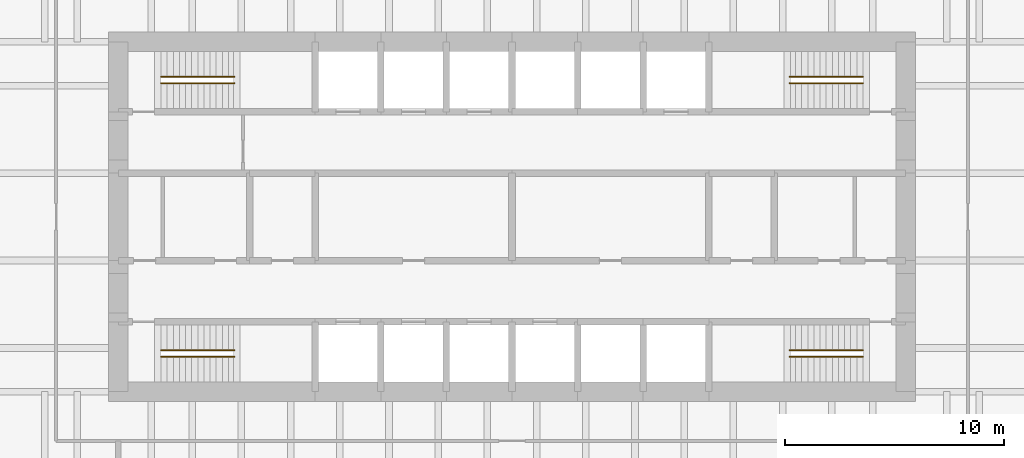
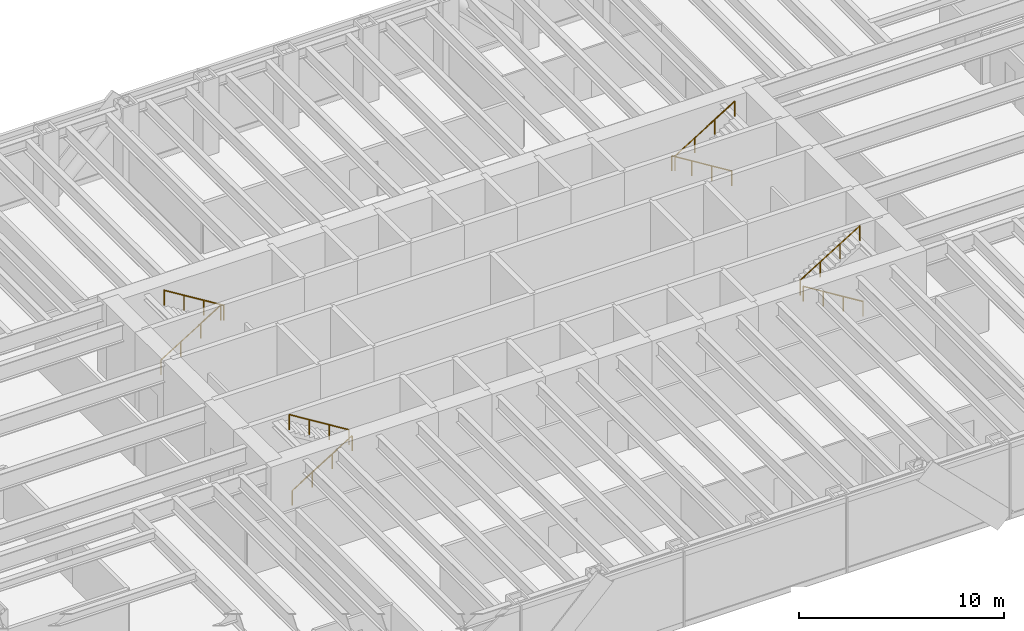
# One storey, part 13 of 13: 8 railings.
"""IFC4 building model written with IfcOpenShell, lengths in metres."""

from ifc_helpers import new_model, si_unit, direction, frame, origin, origin_2d, place, context, subcontext, project, spatial, circle, extrude, material, type_object, element, save


model = new_model("IFC4")

# Units and contexts
model_context = context("Model", 3, precision=1e-05, world=origin(), true_north=direction((0.0, 1.0)))
body_context = subcontext(model_context, "Body", "Model", "MODEL_VIEW")
ifc_project = project(units=[si_unit("LENGTHUNIT", "METRE"), si_unit("AREAUNIT", "SQUARE_METRE"), si_unit("VOLUMEUNIT", "CUBIC_METRE"), si_unit("PLANEANGLEUNIT", "RADIAN"), si_unit("MASSUNIT", "GRAM", prefix="KILO")], contexts=[model_context])

# Site, building, storey
site_placement = place(None, origin())
site = spatial("IfcSite", under=ifc_project, at=site_placement, CompositionType="ELEMENT")
building_placement = place(site_placement, origin())
building = spatial("IfcBuilding", under=site, at=building_placement, Name="Rheinbord Bourse Tower", CompositionType="ELEMENT")
storey_placement = place(building_placement, frame((0.0, 0.0, 81.5)))
storey = spatial("IfcBuildingStorey", under=building, at=storey_placement, Name="L17", CompositionType="ELEMENT", Elevation=81.5)

# Railings
ifc_material = material(Name="Steel handrail", Category="steel")
railing_type = type_object("IfcRailingType", Name="HANDRAIL 900", PredefinedType="HANDRAIL", material=ifc_material)
railing_1_placement = place(storey_placement, frame((19.949951171875, 17.60009765625, 0.173095703125)))
element("IfcRailing", 1, at=railing_1_placement, inside=storey, type_object=railing_type, Name="Handrail", PredefinedType="HANDRAIL", context=body_context, shape_type="SweptSolid", body=[
    extrude(circle(Radius=0.02392578125, at=origin_2d()), frame((0.0, 0.0, 0.8759765625), z_axis=(0.850623216509, 0.0, 0.525775754039), x_axis=(0.0, 1.0, 0.0)), (0.0, 0.0, 1.0), 3.9501953125),
    extrude(circle(Radius=0.02099609375, at=origin_2d()), origin(), (0.0, 0.0, 1.0), 0.851806640625),
    extrude(circle(Radius=0.02099609375, at=origin_2d()), frame((1.1201171875, 0.0, 0.6923828125)), (0.0, 0.0, 1.0), 0.851806640625),
    extrude(circle(Radius=0.02099609375, at=origin_2d()), frame((2.239990234375, 0.0, 1.384521484375)), (0.0, 0.0, 1.0), 0.851806640625),
    extrude(circle(Radius=0.02099609375, at=origin_2d()), frame((3.360107421875, 0.0, 2.076904296875)), (0.0, 0.0, 1.0), 0.851806640625),
])
railing_2_placement = place(storey_placement, frame((23.31005859375, 17.89990234375, 2.423095703125)))
element("IfcRailing", 2, at=railing_2_placement, inside=storey, type_object=railing_type, Name="Handrail", PredefinedType="HANDRAIL", context=body_context, shape_type="SweptSolid", body=[
    extrude(circle(Radius=0.02392578125, at=origin_2d()), frame((0.0, 0.0, 0.8759765625), z_axis=(-0.850623216509, 0.0, 0.525775754039), x_axis=(0.0, -1.0, 0.0)), (0.0, 0.0, 1.0), 3.9501953125),
    extrude(circle(Radius=0.02099609375, at=origin_2d()), origin(), (0.0, 0.0, 1.0), 0.851806640625),
    extrude(circle(Radius=0.02099609375, at=origin_2d()), frame((-1.1201171875, 0.0, 0.6923828125)), (0.0, 0.0, 1.0), 0.851806640625),
    extrude(circle(Radius=0.02099609375, at=origin_2d()), frame((-2.239990234375, 0.0, 1.384521484375)), (0.0, 0.0, 1.0), 0.851806640625),
    extrude(circle(Radius=0.02099609375, at=origin_2d()), frame((-3.360107421875, 0.0, 2.076904296875)), (0.0, 0.0, 1.0), 0.851806640625),
])
railing_3_placement = place(storey_placement, frame((19.949951171875, 30.39990234375, 0.173095703125)))
element("IfcRailing", 3, at=railing_3_placement, inside=storey, type_object=railing_type, Name="Handrail", PredefinedType="HANDRAIL", context=body_context, shape_type="SweptSolid", body=[
    extrude(circle(Radius=0.02392578125, at=origin_2d()), frame((0.0, 0.0, 0.8759765625), z_axis=(0.850623216509, 0.0, 0.525775754039), x_axis=(0.0, 1.0, 0.0)), (0.0, 0.0, 1.0), 3.9501953125),
    extrude(circle(Radius=0.02099609375, at=origin_2d()), origin(), (0.0, 0.0, 1.0), 0.851806640625),
    extrude(circle(Radius=0.02099609375, at=origin_2d()), frame((1.1201171875, 0.0, 0.6923828125)), (0.0, 0.0, 1.0), 0.851806640625),
    extrude(circle(Radius=0.02099609375, at=origin_2d()), frame((2.239990234375, 0.0, 1.384521484375)), (0.0, 0.0, 1.0), 0.851806640625),
    extrude(circle(Radius=0.02099609375, at=origin_2d()), frame((3.360107421875, 0.0, 2.076904296875)), (0.0, 0.0, 1.0), 0.851806640625),
])
for number, where, name in (
    (4, (23.31005859375, 30.10009765625, 2.423095703125), "Handrail"),
    (5, (52.050048828125, 17.60009765625, 0.173095703125), "Handrail"),
):
    element("IfcRailing", number, at=place(storey_placement, frame(where)), inside=storey, type_object=railing_type, Name=name, PredefinedType="HANDRAIL", context=body_context, shape_type="SweptSolid", body=[
        extrude(circle(Radius=0.02392578125, at=origin_2d()), frame((0.0, 0.0, 0.8759765625), z_axis=(-0.850623216509, 0.0, 0.525775754039), x_axis=(0.0, -1.0, 0.0)), (0.0, 0.0, 1.0), 3.9501953125),
        extrude(circle(Radius=0.02099609375, at=origin_2d()), origin(), (0.0, 0.0, 1.0), 0.851806640625),
        extrude(circle(Radius=0.02099609375, at=origin_2d()), frame((-1.1201171875, 0.0, 0.6923828125)), (0.0, 0.0, 1.0), 0.851806640625),
        extrude(circle(Radius=0.02099609375, at=origin_2d()), frame((-2.239990234375, 0.0, 1.384521484375)), (0.0, 0.0, 1.0), 0.851806640625),
        extrude(circle(Radius=0.02099609375, at=origin_2d()), frame((-3.360107421875, 0.0, 2.076904296875)), (0.0, 0.0, 1.0), 0.851806640625),
    ])
railing_4_placement = place(storey_placement, frame((48.68994140625, 17.89990234375, 2.423095703125)))
element("IfcRailing", 6, at=railing_4_placement, inside=storey, type_object=railing_type, Name="Handrail", PredefinedType="HANDRAIL", context=body_context, shape_type="SweptSolid", body=[
    extrude(circle(Radius=0.02392578125, at=origin_2d()), frame((0.0, 0.0, 0.8759765625), z_axis=(0.850623216509, 0.0, 0.525775754039), x_axis=(0.0, 1.0, 0.0)), (0.0, 0.0, 1.0), 3.9501953125),
    extrude(circle(Radius=0.02099609375, at=origin_2d()), origin(), (0.0, 0.0, 1.0), 0.851806640625),
    extrude(circle(Radius=0.02099609375, at=origin_2d()), frame((1.1201171875, 0.0, 0.6923828125)), (0.0, 0.0, 1.0), 0.851806640625),
    extrude(circle(Radius=0.02099609375, at=origin_2d()), frame((2.239990234375, 0.0, 1.384521484375)), (0.0, 0.0, 1.0), 0.851806640625),
    extrude(circle(Radius=0.02099609375, at=origin_2d()), frame((3.360107421875, 0.0, 2.076904296875)), (0.0, 0.0, 1.0), 0.851806640625),
])
railing_5_placement = place(storey_placement, frame((52.050048828125, 30.39990234375, 0.173095703125)))
element("IfcRailing", 7, at=railing_5_placement, inside=storey, type_object=railing_type, Name="Handrail", PredefinedType="HANDRAIL", context=body_context, shape_type="SweptSolid", body=[
    extrude(circle(Radius=0.02392578125, at=origin_2d()), frame((0.0, 0.0, 0.8759765625), z_axis=(-0.850623216509, 0.0, 0.525775754039), x_axis=(0.0, -1.0, 0.0)), (0.0, 0.0, 1.0), 3.9501953125),
    extrude(circle(Radius=0.02099609375, at=origin_2d()), origin(), (0.0, 0.0, 1.0), 0.851806640625),
    extrude(circle(Radius=0.02099609375, at=origin_2d()), frame((-1.1201171875, 0.0, 0.6923828125)), (0.0, 0.0, 1.0), 0.851806640625),
    extrude(circle(Radius=0.02099609375, at=origin_2d()), frame((-2.239990234375, 0.0, 1.384521484375)), (0.0, 0.0, 1.0), 0.851806640625),
    extrude(circle(Radius=0.02099609375, at=origin_2d()), frame((-3.360107421875, 0.0, 2.076904296875)), (0.0, 0.0, 1.0), 0.851806640625),
])
railing_6_placement = place(storey_placement, frame((48.68994140625, 30.10009765625, 2.423095703125)))
element("IfcRailing", 8, at=railing_6_placement, inside=storey, type_object=railing_type, Name="Handrail", PredefinedType="HANDRAIL", context=body_context, shape_type="SweptSolid", body=[
    extrude(circle(Radius=0.02392578125, at=origin_2d()), frame((0.0, 0.0, 0.8759765625), z_axis=(0.850623216509, 0.0, 0.525775754039), x_axis=(0.0, 1.0, 0.0)), (0.0, 0.0, 1.0), 3.9501953125),
    extrude(circle(Radius=0.02099609375, at=origin_2d()), origin(), (0.0, 0.0, 1.0), 0.851806640625),
    extrude(circle(Radius=0.02099609375, at=origin_2d()), frame((1.1201171875, 0.0, 0.6923828125)), (0.0, 0.0, 1.0), 0.851806640625),
    extrude(circle(Radius=0.02099609375, at=origin_2d()), frame((2.239990234375, 0.0, 1.384521484375)), (0.0, 0.0, 1.0), 0.851806640625),
    extrude(circle(Radius=0.02099609375, at=origin_2d()), frame((3.360107421875, 0.0, 2.076904296875)), (0.0, 0.0, 1.0), 0.851806640625),
])

save(model, "model.ifc")
